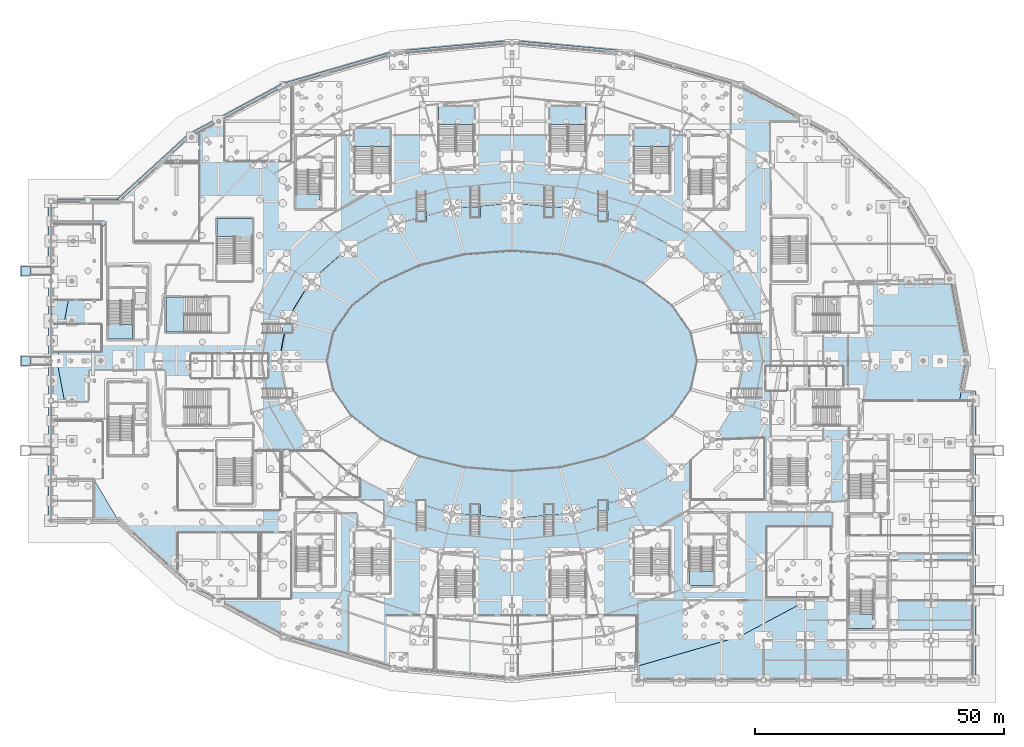
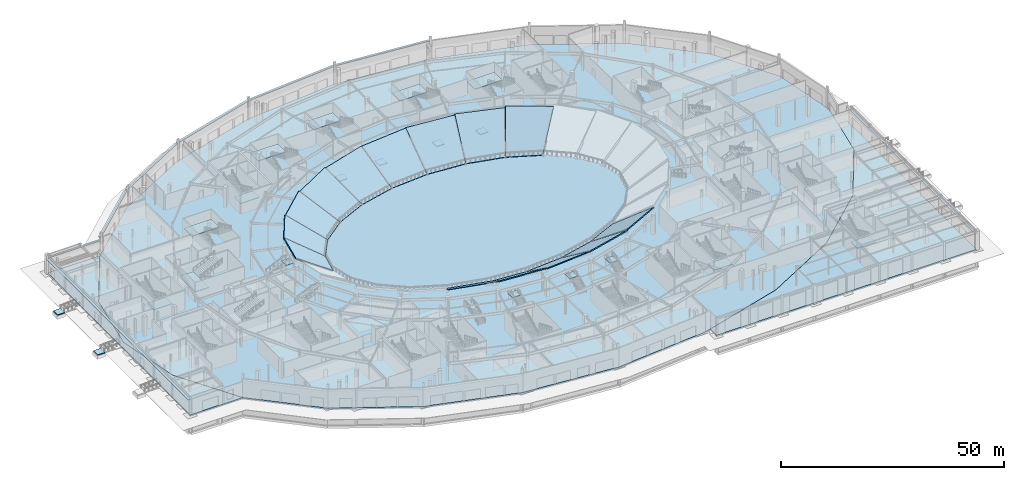
# One storey, part 39 of 93: 37 slabs, 8 plates, 18 elements without a shape of their own.
"""IFC4 building model written with IfcOpenShell, lengths in metres."""

from ifc_helpers import new_model, si_unit, direction, frame, origin, origin_2d, place, context, subcontext, project, spatial, polyline, rectangle, outline, extrude, material, layer, layer_set, type_object, element, aggregate, save


model = new_model("IFC4")

# Units and contexts
model_context = context("Model", 3, precision=1e-05, world=origin(), true_north=direction((0.0, 1.0)))
body_context = subcontext(model_context, "Body", "Model", "MODEL_VIEW")
ifc_project = project(units=[si_unit("LENGTHUNIT", "METRE"), si_unit("AREAUNIT", "SQUARE_METRE"), si_unit("VOLUMEUNIT", "CUBIC_METRE"), si_unit("PLANEANGLEUNIT", "RADIAN"), si_unit("MASSUNIT", "GRAM", prefix="KILO")], contexts=[model_context])

# Site, building, storey
site_placement = place(None, origin())
site = spatial("IfcSite", under=ifc_project, at=site_placement, CompositionType="ELEMENT")
building_placement = place(site_placement, origin())
building = spatial("IfcBuilding", under=site, at=building_placement, Name="Kalgoora Escarpment Arena", CompositionType="ELEMENT")
storey_placement = place(building_placement, origin())
storey = spatial("IfcBuildingStorey", under=building, at=storey_placement, Name="L00", CompositionType="ELEMENT", Elevation=0.0)

# Plates
ifc_material_1 = material(Name="Champagne anodised Art Deco solar brise-soleil hood", Category="aluminium")
ifc_layer_1 = layer(ifc_material_1, 0.1201171875)
ifc_layer_set_1 = layer_set([ifc_layer_1], Name="PLT-DECO-EYEBROW")
plate_type = type_object("IfcPlateType", Name="PLT-DECO-EYEBROW", PredefinedType="SHEET", material=ifc_layer_set_1)
plate_1_placement = place(storey_placement, frame((184.89990234375, 29.0, 4.014892578125), z_axis=(0.0, 0.0, 1.0), x_axis=(0.0, -1.0, 0.0)))
element("IfcPlate", 1, at=plate_1_placement, inside=storey, type_object=plate_type, Name="L00 Art Deco horizontal solar brise-soleil eyebrow 001", PredefinedType="SHEET", context=body_context, shape_type="SweptSolid", body=[
    extrude(rectangle(XDim=57.699951171875, YDim=0.719970703125, at=origin_2d()), origin(), (0.0, 0.0, 1.0), 0.1201171875),
])
plate_2_placement = place(storey_placement, frame((-0.10009765625, 64.0, 4.044921875), z_axis=(0.0, 0.0, 1.0), x_axis=(0.0, 1.0, 0.0)))
element("IfcPlate", 2, at=plate_2_placement, inside=storey, type_object=plate_type, Name="L00 Art Deco horizontal solar brise-soleil eyebrow 011", PredefinedType="SHEET", context=body_context, shape_type="SweptSolid", body=[
    extrude(rectangle(XDim=63.699951171875, YDim=0.719970703125, at=origin_2d()), origin(), (0.0, 0.0, 1.0), 0.1201171875),
])
plate_3_placement = place(storey_placement, frame((6.76416015625, 96.10009765625, 4.044921875), z_axis=(0.0, 0.0, 1.0), x_axis=(1.0, 0.0, 0.0)))
element("IfcPlate", 3, at=plate_3_placement, inside=storey, type_object=plate_type, Name="L00 Art Deco horizontal solar brise-soleil eyebrow 012", PredefinedType="SHEET", context=body_context, shape_type="SweptSolid", body=[
    extrude(rectangle(XDim=13.22802734375, YDim=0.719970703125, at=origin_2d()), origin(), (0.0, 0.0, 1.0), 0.1201171875),
])
plate_4_placement = place(storey_placement, frame((20.652587890625, 102.630615234375, 4.869873046875), z_axis=(0.0, 0.0, 1.0), x_axis=(0.739043499209, 0.673657707057, 0.0)))
element("IfcPlate", 4, at=plate_4_placement, inside=storey, type_object=plate_type, Name="L00 Art Deco horizontal solar brise-soleil eyebrow 013", PredefinedType="SHEET", context=body_context, shape_type="SweptSolid", body=[
    extrude(rectangle(XDim=19.1640625, YDim=0.719970703125, at=origin_2d()), origin(), (0.0, 0.0, 1.0), 0.1201171875),
])
plate_5_placement = place(storey_placement, frame((37.30859375, 114.27099609375, 4.869873046875), z_axis=(0.0, 0.0, 1.0), x_axis=(0.881055904267, 0.47301214948, 0.0)))
element("IfcPlate", 5, at=plate_5_placement, inside=storey, type_object=plate_type, Name="L00 Art Deco horizontal solar brise-soleil eyebrow 014", PredefinedType="SHEET", context=body_context, shape_type="SweptSolid", body=[
    extrude(rectangle(XDim=21.136962890625, YDim=0.719970703125, at=origin_2d()), origin(), (0.0, 0.0, 1.0), 0.1201171875),
])
plate_6_placement = place(storey_placement, frame((57.77001953125, 122.535400390625, 4.869873046875), z_axis=(0.0, 0.0, 1.0), x_axis=(0.960488224179, 0.278320626641, 0.0)))
element("IfcPlate", 6, at=plate_6_placement, inside=storey, type_object=plate_type, Name="L00 Art Deco horizontal solar brise-soleil eyebrow 015", PredefinedType="SHEET", context=body_context, shape_type="SweptSolid", body=[
    extrude(rectangle(XDim=22.60107421875, YDim=0.719970703125, at=origin_2d()), origin(), (0.0, 0.0, 1.0), 0.1201171875),
])
for number, where, z_axis, x_axis, name in (
    (7, (80.588623046875, 126.8125, 4.869873046875), (0.0, 0.0, 1.0), (0.995788942363, 0.091675418016, 0.0), "L00 Art Deco horizontal solar brise-soleil eyebrow 016"),
    (8, (104.211181640625, 126.8125, 4.869873046875), (0.0, 0.0, 1.0), (0.995788942363, -0.091675418016, 0.0), "L00 Art Deco horizontal solar brise-soleil eyebrow 017"),
):
    element("IfcPlate", number, at=place(storey_placement, frame(where, z_axis=z_axis, x_axis=x_axis)), inside=storey, type_object=plate_type, Name=name, PredefinedType="SHEET", context=body_context, shape_type="SweptSolid", body=[
        extrude(rectangle(XDim=23.404052734375, YDim=0.719970703125, at=origin_2d()), origin(), (0.0, 0.0, 1.0), 0.1201171875),
    ])

# Slabs
ifc_material_2 = material(Name="Concrete N40 (fc' 40 MPa)", Category="concrete")
ifc_layer_2 = layer(ifc_material_2, 0.43994140625)
ifc_layer_set_2 = layer_set([ifc_layer_2], Name="SLB-BASE-440")
slab_type_1 = type_object("IfcSlabType", Name="SLB-BASE-440", PredefinedType="BASESLAB", material=ifc_layer_set_2)
slab_1_placement = place(storey_placement, frame((0.0, 0.0, -0.43994140625)))
element("IfcSlab", 9, at=slab_1_placement, inside=storey, type_object=slab_type_1, Name="L00 north-west foyer sub-plinth base slab", PredefinedType="BASESLAB", context=body_context, shape_type="SweptSolid", body=[
    extrude(outline(polyline([(0.0, 32.0), (0.0, 96.0), (13.5283203125, 96.0), (4.3076171875, 80.5126953125), (1.199951171875, 64.0), (4.3076171875, 47.4873046875), (13.5283203125, 32.0), (0.0, 32.0)])), origin(), (0.0, 0.0, 1.0), 0.43994140625),
])
ifc_material_3 = material(Name="Concrete N40 (fc' 40 MPa)", Category="concrete")
ifc_layer_3 = layer(ifc_material_3, 0.4599609375)
ifc_layer_set_3 = layer_set([ifc_layer_3], Name="SLB-BASE-460")
slab_type_2 = type_object("IfcSlabType", Name="SLB-BASE-460", PredefinedType="BASESLAB", material=ifc_layer_set_3)
slab_2_placement = place(storey_placement, frame((0.0, 0.0, -0.4599609375)))
element("IfcSlab", 10, at=slab_2_placement, inside=storey, type_object=slab_type_2, Name="L00 arena bowl and event floor base slab", PredefinedType="BASESLAB", context=body_context, shape_type="SweptSolid", body=[
    extrude(outline(polyline([(180.492431640625, 47.4873046875), (171.381591796875, 32.10009765625), (156.88818359375, 18.88671875), (138.0, 8.74755859375), (116.00439453125, 2.373779296875), (92.39990234375, 0.199951171875), (68.795654296875, 2.373779296875), (46.800048828125, 8.74755859375), (27.911865234375, 18.88671875), (13.41845703125, 32.10009765625), (4.3076171875, 47.4873046875), (1.199951171875, 64.0), (4.3076171875, 80.5126953125), (13.41845703125, 95.89990234375), (27.911865234375, 109.11328125), (46.800048828125, 119.25244140625), (68.795654296875, 125.626220703125), (92.39990234375, 127.800048828125), (116.00439453125, 125.626220703125), (138.0, 119.25244140625), (156.88818359375, 109.11328125), (171.381591796875, 95.89990234375), (180.492431640625, 80.5126953125), (183.60009765625, 64.0), (180.492431640625, 47.4873046875)])), origin(), (0.0, 0.0, 1.0), 0.4599609375),
])
slab_3_placement = place(storey_placement, frame((0.0, 0.0, -0.4599609375)))
element("IfcSlab", 11, at=slab_3_placement, inside=storey, type_object=slab_type_2, Name="L00 south-east practice and dock base slab", PredefinedType="BASESLAB", context=body_context, shape_type="SweptSolid", body=[
    extrude(outline(polyline([(184.800048828125, 58.0), (184.800048828125, 0.0), (117.60009765625, 0.0), (117.60009765625, 2.836181640625), (138.0, 8.74755859375), (156.88818359375, 18.88671875), (171.381591796875, 32.10009765625), (180.492431640625, 47.4873046875), (182.470703125, 58.0), (184.800048828125, 58.0)])), origin(), (0.0, 0.0, 1.0), 0.4599609375),
])
ifc_material_4 = material(Name="Concrete N40 (fc' 40 MPa)", Category="concrete")
ifc_layer_4 = layer(ifc_material_4, 0.199951171875)
ifc_layer_set_4 = layer_set([ifc_layer_4], Name="SLB-RAMP-LAND-200")
slab_type_3 = type_object("IfcSlabType", Name="SLB-RAMP-LAND-200", PredefinedType="LANDING", material=ifc_layer_set_4)
slab_4_placement = place(storey_placement, frame((0.0, 0.0, -0.5)))
element("IfcSlab", 12, at=slab_4_placement, inside=storey, type_object=slab_type_3, Name="Accessible ramp RMP-02 lower threshold landing", PredefinedType="LANDING", context=body_context, shape_type="SweptSolid", body=[
    extrude(outline(polyline([(-6.0, 63.050048828125), (-4.10009765625, 63.050048828125), (-4.10009765625, 64.949951171875), (-6.0, 64.949951171875), (-6.0, 63.050048828125)])), origin(), (0.0, 0.0, 1.0), 0.199951171875),
])
slab_5_placement = place(storey_placement, frame((0.0, 0.0, -0.5)))
element("IfcSlab", 13, at=slab_5_placement, inside=storey, type_object=slab_type_3, Name="Accessible ramp RMP-03 lower threshold landing", PredefinedType="LANDING", context=body_context, shape_type="SweptSolid", body=[
    extrude(outline(polyline([(-6.0, 81.050048828125), (-4.10009765625, 81.050048828125), (-4.10009765625, 82.949951171875), (-6.0, 82.949951171875), (-6.0, 81.050048828125)])), origin(), (0.0, 0.0, 1.0), 0.199951171875),
])

# Stair, slab
ifc_material_5 = material(Name="Concrete N40 (fc' 40 MPa)", Category="concrete")
stair_type_1 = type_object("IfcStairType", Name="STR-EXIT-1", PredefinedType="HALF_TURN_STAIR", material=ifc_material_5)
stair_1_placement = place(storey_placement, origin())
stair_1 = element("IfcStair", 14, at=stair_1_placement, inside=storey, type_object=stair_type_1, Name="Fire-isolated exit stair ST01 (L00)", PredefinedType="HALF_TURN_STAIR")
ifc_material_6 = material(Name="Concrete N40 (fc' 40 MPa)", Category="concrete")
ifc_layer_5 = layer(ifc_material_6, 0.219970703125)
ifc_layer_set_5 = layer_set([ifc_layer_5], Name="SLB-ST-LAND-220")
slab_type_4 = type_object("IfcSlabType", Name="SLB-ST-LAND-220", PredefinedType="LANDING", material=ifc_layer_set_5)
slab_6_placement = place(storey_placement, frame((0.0, 0.0, 2.47998046875)))
slab_6 = element("IfcSlab", 15, at=slab_6_placement, type_object=slab_type_4, Name="ST01 L00 half-landing", PredefinedType="LANDING", context=body_context, shape_type="SweptSolid", body=[
    extrude(outline(polyline([(16.35009765625, 71.25), (16.35009765625, 68.35009765625), (11.550048828125, 68.35009765625), (11.550048828125, 71.25), (16.35009765625, 71.25)])), origin(), (0.0, 0.0, 1.0), 0.219970703125),
])
aggregate(stair_1, [slab_6])

ifc_material_7 = material(Name="Concrete N40 (fc' 40 MPa)", Category="concrete")
stair_type_2 = type_object("IfcStairType", Name="STR-EXIT-3", PredefinedType="HALF_TURN_STAIR", material=ifc_material_7)
stair_2_placement = place(storey_placement, origin())
stair_2 = element("IfcStair", 16, at=stair_2_placement, inside=storey, type_object=stair_type_2, Name="Fire-isolated exit stair ST03 (L00)", PredefinedType="HALF_TURN_STAIR")
slab_7_placement = place(storey_placement, frame((0.0, 0.0, 2.47998046875)))
slab_7 = element("IfcSlab", 17, at=slab_7_placement, type_object=slab_type_4, Name="ST03 L00 half-landing", PredefinedType="LANDING", context=body_context, shape_type="SweptSolid", body=[
    extrude(outline(polyline([(53.949951171875, 97.449951171875), (53.949951171875, 94.550048828125), (49.14990234375, 94.550048828125), (49.14990234375, 97.449951171875), (53.949951171875, 97.449951171875)])), origin(), (0.0, 0.0, 1.0), 0.219970703125),
])
aggregate(stair_2, [slab_7])

ifc_material_8 = material(Name="Concrete N40 (fc' 40 MPa)", Category="concrete")
stair_type_3 = type_object("IfcStairType", Name="STR-EXIT-2", PredefinedType="HALF_TURN_STAIR", material=ifc_material_8)
stair_3_placement = place(storey_placement, origin())
stair_3 = element("IfcStair", 18, at=stair_3_placement, inside=storey, type_object=stair_type_3, Name="Fire-isolated exit stair ST06 (L00)", PredefinedType="HALF_TURN_STAIR")
slab_8_placement = place(storey_placement, frame((0.0, 0.0, 2.47998046875)))
slab_8 = element("IfcSlab", 19, at=slab_8_placement, type_object=slab_type_4, Name="ST06 L00 half-landing", PredefinedType="LANDING", context=body_context, shape_type="SweptSolid", body=[
    extrude(outline(polyline([(132.75, 21.85009765625), (132.75, 18.949951171875), (127.949951171875, 18.949951171875), (127.949951171875, 21.85009765625), (132.75, 21.85009765625)])), origin(), (0.0, 0.0, 1.0), 0.219970703125),
])
aggregate(stair_3, [slab_8])

ifc_material_9 = material(Name="Concrete N40 (fc' 40 MPa)", Category="concrete")
stair_type_4 = type_object("IfcStairType", Name="STR-EXIT-4", PredefinedType="HALF_TURN_STAIR", material=ifc_material_9)
stair_4_placement = place(storey_placement, origin())
stair_4 = element("IfcStair", 20, at=stair_4_placement, inside=storey, type_object=stair_type_4, Name="Fire-isolated exit stair ST08 (L00)", PredefinedType="HALF_TURN_STAIR")
slab_9_placement = place(storey_placement, frame((0.0, 0.0, 2.47998046875)))
slab_9 = element("IfcSlab", 21, at=slab_9_placement, type_object=slab_type_4, Name="ST08 L00 half-landing", PredefinedType="LANDING", context=body_context, shape_type="SweptSolid", body=[
    extrude(outline(polyline([(164.75, 13.25), (164.75, 10.35009765625), (159.949951171875, 10.35009765625), (159.949951171875, 13.25), (164.75, 13.25)])), origin(), (0.0, 0.0, 1.0), 0.219970703125),
])
aggregate(stair_4, [slab_9])

ifc_material_10 = material(Name="Precast concrete N50 (fc' 50 MPa)", Category="concrete")
stair_type_5 = type_object("IfcStairType", Name="STR-STAD-1", PredefinedType="HALF_TURN_STAIR", material=ifc_material_10)
stair_5_placement = place(storey_placement, origin())
stair_5 = element("IfcStair", 22, at=stair_5_placement, inside=storey, type_object=stair_type_5, Name="Fire-isolated exit stair ST09 (L00)", PredefinedType="HALF_TURN_STAIR")
slab_10_placement = place(storey_placement, frame((0.0, 0.0, 2.47998046875)))
slab_10 = element("IfcSlab", 23, at=slab_10_placement, type_object=slab_type_4, Name="ST09 L00 half-landing", PredefinedType="LANDING", context=body_context, shape_type="SweptSolid", body=[
    extrude(outline(polyline([(60.85009765625, 106.945068359375), (60.85009765625, 110.550048828125), (67.949951171875, 110.550048828125), (67.949951171875, 106.945068359375), (60.85009765625, 106.945068359375)])), origin(), (0.0, 0.0, 1.0), 0.219970703125),
])
aggregate(stair_5, [slab_10])

ifc_material_11 = material(Name="Precast concrete N50 (fc' 50 MPa)", Category="concrete")
stair_type_6 = type_object("IfcStairType", Name="STR-STAD-2", PredefinedType="HALF_TURN_STAIR", material=ifc_material_11)
stair_6_placement = place(storey_placement, origin())
stair_6 = element("IfcStair", 24, at=stair_6_placement, inside=storey, type_object=stair_type_6, Name="Fire-isolated exit stair ST10 (L00)", PredefinedType="HALF_TURN_STAIR")
slab_11_placement = place(storey_placement, frame((0.0, 0.0, 2.47998046875)))
slab_11 = element("IfcSlab", 25, at=slab_11_placement, type_object=slab_type_4, Name="ST10 L00 half-landing", PredefinedType="LANDING", context=body_context, shape_type="SweptSolid", body=[
    extrude(outline(polyline([(77.64990234375, 111.344970703125), (77.64990234375, 114.949951171875), (84.75, 114.949951171875), (84.75, 111.344970703125), (77.64990234375, 111.344970703125)])), origin(), (0.0, 0.0, 1.0), 0.219970703125),
])
aggregate(stair_6, [slab_11])

ifc_material_12 = material(Name="Precast concrete N50 (fc' 50 MPa)", Category="concrete")
stair_type_7 = type_object("IfcStairType", Name="STR-STAD-3", PredefinedType="HALF_TURN_STAIR", material=ifc_material_12)
stair_7_placement = place(storey_placement, origin())
stair_7 = element("IfcStair", 26, at=stair_7_placement, inside=storey, type_object=stair_type_7, Name="Fire-isolated exit stair ST11 (L00)", PredefinedType="HALF_TURN_STAIR")
slab_12_placement = place(storey_placement, frame((0.0, 0.0, 2.47998046875)))
slab_12 = element("IfcSlab", 27, at=slab_12_placement, type_object=slab_type_4, Name="ST11 L00 half-landing", PredefinedType="LANDING", context=body_context, shape_type="SweptSolid", body=[
    extrude(outline(polyline([(100.050048828125, 111.344970703125), (100.050048828125, 114.949951171875), (107.14990234375, 114.949951171875), (107.14990234375, 111.344970703125), (100.050048828125, 111.344970703125)])), origin(), (0.0, 0.0, 1.0), 0.219970703125),
])
aggregate(stair_7, [slab_12])

ifc_material_13 = material(Name="Precast concrete N50 (fc' 50 MPa)", Category="concrete")
stair_type_8 = type_object("IfcStairType", Name="STR-STAD-4", PredefinedType="HALF_TURN_STAIR", material=ifc_material_13)
stair_8_placement = place(storey_placement, origin())
stair_8 = element("IfcStair", 28, at=stair_8_placement, inside=storey, type_object=stair_type_8, Name="Fire-isolated exit stair ST12 (L00)", PredefinedType="HALF_TURN_STAIR")
slab_13_placement = place(storey_placement, frame((0.0, 0.0, 2.47998046875)))
slab_13 = element("IfcSlab", 29, at=slab_13_placement, type_object=slab_type_4, Name="ST12 L00 half-landing", PredefinedType="LANDING", context=body_context, shape_type="SweptSolid", body=[
    extrude(outline(polyline([(116.85009765625, 106.945068359375), (116.85009765625, 110.550048828125), (123.949951171875, 110.550048828125), (123.949951171875, 106.945068359375), (116.85009765625, 106.945068359375)])), origin(), (0.0, 0.0, 1.0), 0.219970703125),
])
aggregate(stair_8, [slab_13])

stair_9_placement = place(storey_placement, origin())
stair_9 = element("IfcStair", 30, at=stair_9_placement, inside=storey, type_object=stair_type_5, Name="Fire-isolated exit stair ST17 (L00)", PredefinedType="HALF_TURN_STAIR")
slab_14_placement = place(storey_placement, frame((0.0, 0.0, 2.47998046875)))
slab_14 = element("IfcSlab", 31, at=slab_14_placement, type_object=slab_type_4, Name="ST17 L00 half-landing", PredefinedType="LANDING", context=body_context, shape_type="SweptSolid", body=[
    extrude(outline(polyline([(26.655029296875, 69.75), (23.050048828125, 69.75), (23.050048828125, 76.85009765625), (26.655029296875, 76.85009765625), (26.655029296875, 69.75)])), origin(), (0.0, 0.0, 1.0), 0.219970703125),
])
aggregate(stair_9, [slab_14])

stair_10_placement = place(storey_placement, origin())
stair_10 = element("IfcStair", 32, at=stair_10_placement, inside=storey, type_object=stair_type_7, Name="Fire-isolated exit stair ST19 (L00)", PredefinedType="HALF_TURN_STAIR")
slab_15_placement = place(storey_placement, frame((0.0, 0.0, 2.47998046875)))
slab_15 = element("IfcSlab", 33, at=slab_15_placement, type_object=slab_type_4, Name="ST19 L00 half-landing", PredefinedType="LANDING", context=body_context, shape_type="SweptSolid", body=[
    extrude(outline(polyline([(33.25, 88.945068359375), (33.25, 92.550048828125), (40.35009765625, 92.550048828125), (40.35009765625, 88.945068359375), (33.25, 88.945068359375)])), origin(), (0.0, 0.0, 1.0), 0.219970703125),
])
aggregate(stair_10, [slab_15])

ifc_material_14 = material(Name="Precast concrete N50 (fc' 50 MPa)", Category="concrete")
stair_type_9 = type_object("IfcStairType", Name="STR-VOM-1920", PredefinedType="STRAIGHT_RUN_STAIR", material=ifc_material_14)
stair_11_placement = place(storey_placement, origin())
stair_11 = element("IfcStair", 34, at=stair_11_placement, inside=storey, type_object=stair_type_9, Name="Bowl vomitory stair VST01", PredefinedType="STRAIGHT_RUN_STAIR")
slab_16_placement = place(storey_placement, frame((0.0, 0.0, 1.72998046875)))
slab_16 = element("IfcSlab", 35, at=slab_16_placement, type_object=slab_type_4, Name="Vomitory stair VST01 upper landing", PredefinedType="LANDING", context=body_context, shape_type="SweptSolid", body=[
    extrude(outline(polyline([(73.14990234375, 91.93994140625), (75.25, 91.93994140625), (75.25, 94.0400390625), (73.14990234375, 94.0400390625), (73.14990234375, 91.93994140625)])), origin(), (0.0, 0.0, 1.0), 0.219970703125),
])
aggregate(stair_11, [slab_16])

stair_12_placement = place(storey_placement, origin())
stair_12 = element("IfcStair", 36, at=stair_12_placement, inside=storey, type_object=stair_type_9, Name="Bowl vomitory stair VST02", PredefinedType="STRAIGHT_RUN_STAIR")
slab_17_placement = place(storey_placement, frame((0.0, 0.0, 1.72998046875)))
slab_17 = element("IfcSlab", 37, at=slab_17_placement, type_object=slab_type_4, Name="Vomitory stair VST02 upper landing", PredefinedType="LANDING", context=body_context, shape_type="SweptSolid", body=[
    extrude(outline(polyline([(83.949951171875, 92.739990234375), (86.050048828125, 92.739990234375), (86.050048828125, 94.840087890625), (83.949951171875, 94.840087890625), (83.949951171875, 92.739990234375)])), origin(), (0.0, 0.0, 1.0), 0.219970703125),
])
aggregate(stair_12, [slab_17])

stair_13_placement = place(storey_placement, origin())
stair_13 = element("IfcStair", 38, at=stair_13_placement, inside=storey, type_object=stair_type_9, Name="Bowl vomitory stair VST03", PredefinedType="STRAIGHT_RUN_STAIR")
slab_18_placement = place(storey_placement, frame((0.0, 0.0, 1.72998046875)))
slab_18 = element("IfcSlab", 39, at=slab_18_placement, type_object=slab_type_4, Name="Vomitory stair VST03 upper landing", PredefinedType="LANDING", context=body_context, shape_type="SweptSolid", body=[
    extrude(outline(polyline([(98.75, 92.739990234375), (100.85009765625, 92.739990234375), (100.85009765625, 94.840087890625), (98.75, 94.840087890625), (98.75, 92.739990234375)])), origin(), (0.0, 0.0, 1.0), 0.219970703125),
])
aggregate(stair_13, [slab_18])

stair_14_placement = place(storey_placement, origin())
stair_14 = element("IfcStair", 40, at=stair_14_placement, inside=storey, type_object=stair_type_9, Name="Bowl vomitory stair VST04", PredefinedType="STRAIGHT_RUN_STAIR")
slab_19_placement = place(storey_placement, frame((0.0, 0.0, 1.72998046875)))
slab_19 = element("IfcSlab", 41, at=slab_19_placement, type_object=slab_type_4, Name="Vomitory stair VST04 upper landing", PredefinedType="LANDING", context=body_context, shape_type="SweptSolid", body=[
    extrude(outline(polyline([(109.550048828125, 91.93994140625), (111.64990234375, 91.93994140625), (111.64990234375, 94.0400390625), (109.550048828125, 94.0400390625), (109.550048828125, 91.93994140625)])), origin(), (0.0, 0.0, 1.0), 0.219970703125),
])
aggregate(stair_14, [slab_19])

stair_15_placement = place(storey_placement, origin())
stair_15 = element("IfcStair", 42, at=stair_15_placement, inside=storey, type_object=stair_type_9, Name="Bowl vomitory stair VST06", PredefinedType="STRAIGHT_RUN_STAIR")
slab_20_placement = place(storey_placement, frame((0.0, 0.0, 1.72998046875)))
slab_20 = element("IfcSlab", 43, at=slab_20_placement, type_object=slab_type_4, Name="Vomitory stair VST06 upper landing", PredefinedType="LANDING", context=body_context, shape_type="SweptSolid", body=[
    extrude(outline(polyline([(83.949951171875, 33.159912109375), (86.050048828125, 33.159912109375), (86.050048828125, 35.260009765625), (83.949951171875, 35.260009765625), (83.949951171875, 33.159912109375)])), origin(), (0.0, 0.0, 1.0), 0.219970703125),
])
aggregate(stair_15, [slab_20])

stair_16_placement = place(storey_placement, origin())
stair_16 = element("IfcStair", 44, at=stair_16_placement, inside=storey, type_object=stair_type_9, Name="Bowl vomitory stair VST07", PredefinedType="STRAIGHT_RUN_STAIR")
slab_21_placement = place(storey_placement, frame((0.0, 0.0, 1.72998046875)))
slab_21 = element("IfcSlab", 45, at=slab_21_placement, type_object=slab_type_4, Name="Vomitory stair VST07 upper landing", PredefinedType="LANDING", context=body_context, shape_type="SweptSolid", body=[
    extrude(outline(polyline([(98.75, 33.159912109375), (100.85009765625, 33.159912109375), (100.85009765625, 35.260009765625), (98.75, 35.260009765625), (98.75, 33.159912109375)])), origin(), (0.0, 0.0, 1.0), 0.219970703125),
])
aggregate(stair_16, [slab_21])

stair_17_placement = place(storey_placement, origin())
stair_17 = element("IfcStair", 46, at=stair_17_placement, inside=storey, type_object=stair_type_9, Name="Bowl vomitory stair VST08", PredefinedType="STRAIGHT_RUN_STAIR")
slab_22_placement = place(storey_placement, frame((0.0, 0.0, 1.72998046875)))
slab_22 = element("IfcSlab", 47, at=slab_22_placement, type_object=slab_type_4, Name="Vomitory stair VST08 upper landing", PredefinedType="LANDING", context=body_context, shape_type="SweptSolid", body=[
    extrude(outline(polyline([(109.550048828125, 33.9599609375), (111.64990234375, 33.9599609375), (111.64990234375, 36.06005859375), (109.550048828125, 36.06005859375), (109.550048828125, 33.9599609375)])), origin(), (0.0, 0.0, 1.0), 0.219970703125),
])
aggregate(stair_17, [slab_22])

stair_18_placement = place(storey_placement, origin())
stair_18 = element("IfcStair", 48, at=stair_18_placement, inside=storey, type_object=stair_type_9, Name="Bowl vomitory stair VST10", PredefinedType="STRAIGHT_RUN_STAIR")
slab_23_placement = place(storey_placement, frame((0.0, 0.0, 1.72998046875)))
slab_23 = element("IfcSlab", 49, at=slab_23_placement, type_object=slab_type_4, Name="Vomitory stair VST10 upper landing", PredefinedType="LANDING", context=body_context, shape_type="SweptSolid", body=[
    extrude(outline(polyline([(46.360107421875, 69.449951171875), (48.4599609375, 69.449951171875), (48.4599609375, 71.550048828125), (46.360107421875, 71.550048828125), (46.360107421875, 69.449951171875)])), origin(), (0.0, 0.0, 1.0), 0.219970703125),
])
aggregate(stair_18, [slab_23])

# Slabs
ifc_material_15 = material(Name="Precast concrete N50 (fc' 50 MPa)", Category="concrete")
ifc_layer_6 = layer(ifc_material_15, 0.2099609375)
ifc_layer_set_6 = layer_set([ifc_layer_6], Name="SLB-TIER-LOW-A")
slab_type_5 = type_object("IfcSlabType", Name="SLB-TIER-LOW-A", PredefinedType="USERDEFINED", material=ifc_layer_set_6)
slab_24_placement = place(storey_placement, frame((110.89990234375, 83.052490234375, 0.679931640625), z_axis=(-0.142484030854, -0.578506538762, 0.80313665435), x_axis=(-0.970980283078, 0.239159548869, 7.692608e-06)))
element("IfcSlab", 50, at=slab_24_placement, inside=storey, type_object=slab_type_5, Name="Stand Lower Tier Sector 05", ObjectType="SEATING TIER", PredefinedType="USERDEFINED", context=body_context, shape_type="SweptSolid", body=[
    extrude(outline(polyline([(0.0, 0.0), (9.190296324521405, 0.0), (8.995490863563568, -11.950502555466464), (-2.6723360704641874, -11.480762276335017), (0.0, 0.0)])), origin(), (0.0, 0.0, -1.0), 0.2099609375),
])
slab_25_placement = place(storey_placement, frame((92.39990234375, 86.0, 0.679931640625), z_axis=(0.045379515926, -0.57968371698, 0.813576971037), x_axis=(-0.996950640661, -0.078034736095, 6.971193e-06)))
element("IfcSlab", 51, at=slab_25_placement, inside=storey, type_object=slab_type_5, Name="Stand Lower Tier Sector 07", ObjectType="SEATING TIER", PredefinedType="USERDEFINED", context=body_context, shape_type="SweptSolid", body=[
    extrude(outline(polyline([(0.0, 0.0), (9.605458635031981, 0.0), (11.358955210335335, -11.60107040895367), (-0.7490934035190866, -11.763823206213257), (0.0, 0.0)])), origin(), (0.0, 0.0, -1.0), 0.2099609375),
])
slab_26_placement = place(storey_placement, frame((73.89990234375, 83.052490234375, 0.679931640625), z_axis=(0.241605680985, -0.529530774536, 0.813156721509), x_axis=(-0.909782088596, -0.415086197292, 9.353071e-06)))
element("IfcSlab", 52, at=slab_26_placement, inside=storey, type_object=slab_type_5, Name="Stand Lower Tier Sector 09", ObjectType="SEATING TIER", PredefinedType="USERDEFINED", context=body_context, shape_type="SweptSolid", body=[
    extrude(outline(polyline([(0.0, 0.0), (8.422696474605857, 4.440892098500626e-16), (11.781017022870968, -11.059955934820742), (0.9158282578659362, -11.751944409562247), (0.0, 0.0)])), origin(), (0.0, 0.0, -1.0), 0.2099609375),
])
slab_27_placement = place(storey_placement, frame((60.357177734375, 75.0, 0.679931640625), z_axis=(0.477267108075, -0.33249364165, 0.813427369721), x_axis=(-0.5716301185, -0.820511430499, 6.663168e-06)))
element("IfcSlab", 53, at=slab_27_placement, inside=storey, type_object=slab_type_5, Name="Stand Lower Tier Sector 11", ObjectType="SEATING TIER", PredefinedType="USERDEFINED", context=body_context, shape_type="SweptSolid", body=[
    extrude(outline(polyline([(0.0, 0.0), (6.466608042783234, 0.0), (9.728550159491217, -11.09954593316025), (0.8140633550622908, -11.75953159688381), (0.0, 0.0)])), origin(), (0.0, 0.0, -1.0), 0.2099609375),
])
slab_28_placement = place(storey_placement, frame((73.89990234375, 44.947509765625, 0.679931640625), z_axis=(0.142482771811, 0.578508241793, 0.803135651005), x_axis=(0.970981495395, -0.239154626896, 5.961485e-06)))
element("IfcSlab", 54, at=slab_28_placement, inside=storey, type_object=slab_type_5, Name="Stand Lower Tier Sector 17", ObjectType="SEATING TIER", PredefinedType="USERDEFINED", context=body_context, shape_type="SweptSolid", body=[
    extrude(outline(polyline([(0.0, 0.0), (9.190533380275243, 4.440892098500626e-16), (8.995666941375635, -11.950501561437282), (-2.6721575957529224, -11.480701746476074), (0.0, 0.0)])), origin(), (0.0, 0.0, -1.0), 0.2099609375),
])
slab_29_placement = place(storey_placement, frame((92.39990234375, 42.0, 0.679931640625), z_axis=(-0.045378501703, 0.579683832153, 0.813576945546), x_axis=(0.996950789382, 0.078032836043, 7.079432e-06)))
element("IfcSlab", 55, at=slab_29_placement, inside=storey, type_object=slab_type_5, Name="Stand Lower Tier Sector 19", ObjectType="SEATING TIER", PredefinedType="USERDEFINED", context=body_context, shape_type="SweptSolid", body=[
    extrude(outline(polyline([(0.0, 0.0), (9.605702031287255, 0.0), (11.359217324866645, -11.601067579670065), (-0.7490744224684224, -11.763824414858826), (0.0, 0.0)])), origin(), (0.0, 0.0, -1.0), 0.2099609375),
])
slab_30_placement = place(storey_placement, frame((110.89990234375, 44.947509765625, 0.679931640625), z_axis=(-0.241602158685, 0.52953059463, 0.813157885204), x_axis=(0.909786146852, 0.415077302246, 1.2502302e-05)))
element("IfcSlab", 56, at=slab_30_placement, inside=storey, type_object=slab_type_5, Name="Stand Lower Tier Sector 21", ObjectType="SEATING TIER", PredefinedType="USERDEFINED", context=body_context, shape_type="SweptSolid", body=[
    extrude(outline(polyline([(0.0, 0.0), (8.422918590223253, 0.0), (11.781347340779705, -11.059923078626126), (0.9161653465759718, -11.75201785090256), (0.0, 0.0)])), origin(), (0.0, 0.0, -1.0), 0.2099609375),
])
ifc_material_16 = material(Name="Precast concrete N50 (fc' 50 MPa)", Category="concrete")
ifc_layer_7 = layer(ifc_material_16, 0.22998046875)
ifc_layer_set_7 = layer_set([ifc_layer_7], Name="SLB-TIER-LOW-B")
slab_type_6 = type_object("IfcSlabType", Name="SLB-TIER-LOW-B", PredefinedType="USERDEFINED", material=ifc_layer_set_7)
slab_31_placement = place(storey_placement, frame((118.56298828125, 79.556396484375, 0.679931640625), z_axis=(-0.251280698588, -0.550740573768, 0.795954038198), x_axis=(-0.909785538419, 0.415078635797, -1.3693782e-05)))
element("IfcSlab", 57, at=slab_31_placement, inside=storey, type_object=slab_type_6, Name="Stand Lower Tier Sector 04", ObjectType="SEATING TIER", PredefinedType="USERDEFINED", context=body_context, shape_type="SweptSolid", body=[
    extrude(outline(polyline([(0.0, 0.0), (8.42291858997227, -4.440892098500626e-16), (7.506753243870963, -12.006013563952601), (-3.35842875115849, -11.298995291543834), (0.0, 0.0)])), origin(), (0.0, 0.0, -1.0), 0.22998046875),
])
slab_32_placement = place(storey_placement, frame((101.976318359375, 85.25048828125, 0.679931640625), z_axis=(-0.045799782844, -0.585016753025, 0.809726977796), x_axis=(-0.996950608022, 0.078035152721, -1.0188232e-05)))
element("IfcSlab", 58, at=slab_32_placement, inside=storey, type_object=slab_type_6, Name="Stand Lower Tier Sector 06", ObjectType="SEATING TIER", PredefinedType="USERDEFINED", context=body_context, shape_type="SweptSolid", body=[
    extrude(outline(polyline([(0.0, 0.0), (9.605702030890559, 1.1102230246251565e-16), (10.354776454183312, -11.81972755674691), (-1.7535152944452035, -11.65625918504128), (0.0, 0.0)])), origin(), (0.0, 0.0, -1.0), 0.22998046875),
])
slab_33_placement = place(storey_placement, frame((82.82373046875, 85.25048828125, 0.679931640625), z_axis=(0.138790547933, -0.563521571517, 0.814359025393), x_axis=(-0.970981590306, -0.239154241528, -6.76246e-06)))
element("IfcSlab", 59, at=slab_33_placement, inside=storey, type_object=slab_type_6, Name="Stand Lower Tier Sector 08", ObjectType="SEATING TIER", PredefinedType="USERDEFINED", context=body_context, shape_type="SweptSolid", body=[
    extrude(outline(polyline([(0.0, 0.0), (9.190533380211555, 0.0), (11.86269097611037, -11.322470649262595), (0.19486643877358217, -11.785805918838781), (0.0, 0.0)])), origin(), (0.0, 0.0, -1.0), 0.22998046875),
])
slab_34_placement = place(storey_placement, frame((66.237060546875, 79.556396484375, 0.679931640625), z_axis=(0.357316925902, -0.46111012533, 0.812220454545), x_axis=(-0.790449330545, -0.612527432722, -2.06397e-06)))
element("IfcSlab", 60, at=slab_34_placement, inside=storey, type_object=slab_type_6, Name="Stand Lower Tier Sector 10", ObjectType="SEATING TIER", PredefinedType="USERDEFINED", context=body_context, shape_type="SweptSolid", body=[
    extrude(outline(polyline([(0.0, 0.0), (7.438667273860316, -4.440892098500626e-16), (11.070260459710125, -10.941260894875048), (1.2079279956372202, -11.725495650629664), (0.0, 0.0)])), origin(), (0.0, 0.0, -1.0), 0.22998046875),
])
slab_35_placement = place(storey_placement, frame((56.66064453125, 69.694091796875, 0.679931640625), z_axis=(0.566928030687, -0.12552512245, 0.814147438524), x_axis=(-0.216177016255, -0.976354186575, -2.07234e-07)))
element("IfcSlab", 61, at=slab_35_placement, inside=storey, type_object=slab_type_6, Name="Stand Lower Tier Sector 12", ObjectType="SEATING TIER", PredefinedType="USERDEFINED", context=body_context, shape_type="SweptSolid", body=[
    extrude(outline(polyline([(0.0, 0.0), (5.831993848983317, -2.220446049250313e-16), (7.907260153161729, -11.512480252356834), (-0.4213240010848623, -11.779884557050112), (0.0, 0.0)])), origin(), (0.0, 0.0, -1.0), 0.22998046875),
])
slab_36_placement = place(storey_placement, frame((82.82373046875, 42.74951171875, 0.679931640625), z_axis=(0.045800806509, 0.58501663712, 0.809727003635), x_axis=(0.996950459405, -0.078037051397, -1.0079584e-05)))
element("IfcSlab", 62, at=slab_36_placement, inside=storey, type_object=slab_type_6, Name="Stand Lower Tier Sector 18", ObjectType="SEATING TIER", PredefinedType="USERDEFINED", context=body_context, shape_type="SweptSolid", body=[
    extrude(outline(polyline([(0.0, 0.0), (9.60545863464039, 1.1102230246251565e-16), (10.354552038973202, -11.819726353822634), (-1.753496576158024, -11.656262000934312), (0.0, 0.0)])), origin(), (0.0, 0.0, -1.0), 0.22998046875),
])
slab_37_placement = place(storey_placement, frame((101.976318359375, 42.74951171875, 0.679931640625), z_axis=(-0.138791765481, 0.563519876616, 0.814359990725), x_axis=(0.970980362284, 0.239159227265, -8.472311e-06)))
element("IfcSlab", 63, at=slab_37_placement, inside=storey, type_object=slab_type_6, Name="Stand Lower Tier Sector 20", ObjectType="SEATING TIER", PredefinedType="USERDEFINED", context=body_context, shape_type="SweptSolid", body=[
    extrude(outline(polyline([(0.0, 0.0), (9.190296324445614, -2.220446049250313e-16), (11.862632395083422, -11.322532025003095), (0.19480546080786068, -11.785806926749553), (0.0, 0.0)])), origin(), (0.0, 0.0, -1.0), 0.22998046875),
])

save(model, "model.ifc")
